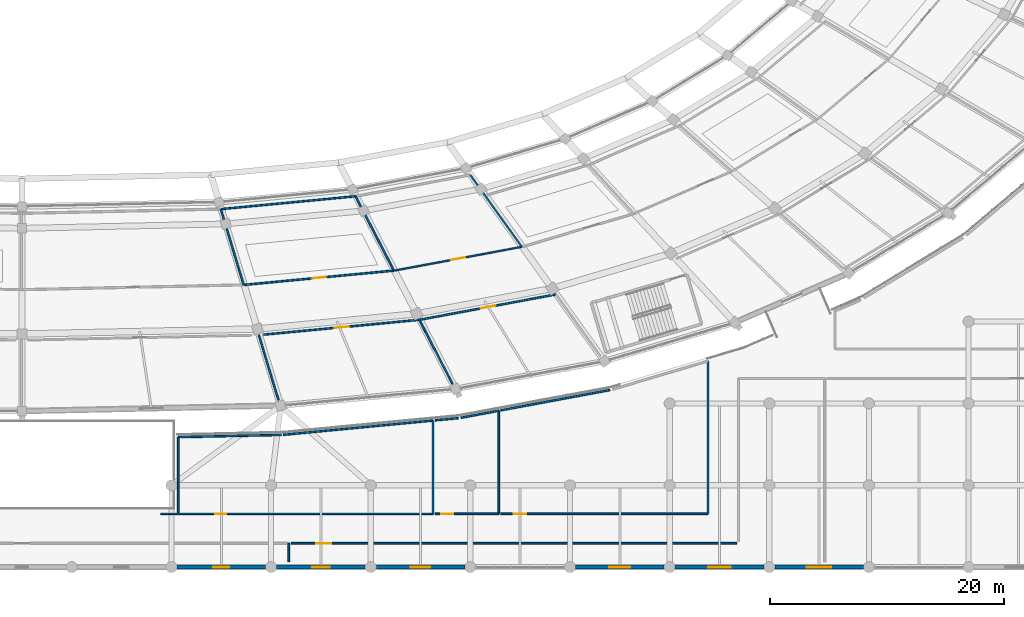
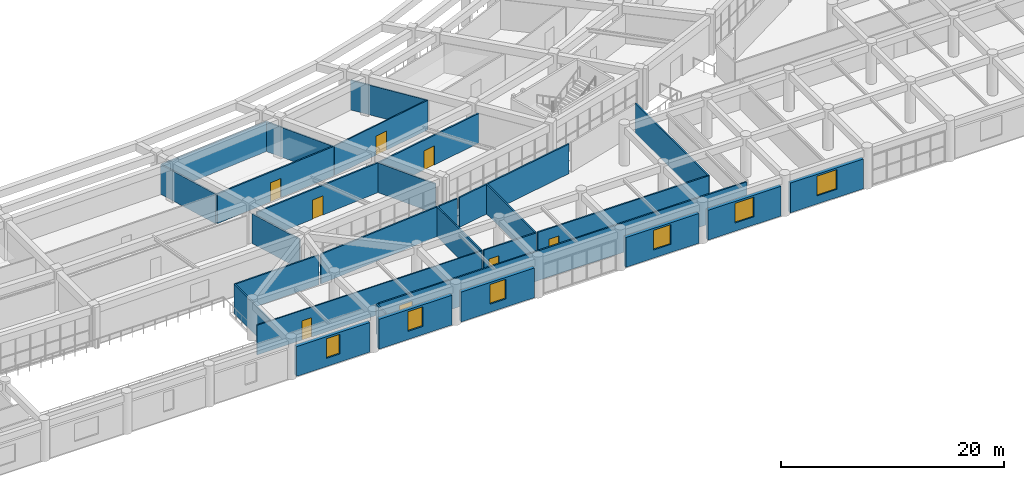
# One storey, part 100 of 145: 30 walls, 8 doors, 6 windows, 14 openings.
"""IFC4 building model written with IfcOpenShell, lengths in metres."""

import ifcopenshell
import ifcopenshell.guid

model = None  # the IFC model being written
_history = None  # IfcOwnerHistory: only IFC2X3 demands one
_inside = {}  # id of a spatial element -> (the spatial element, [elements in it])
_under = {}  # id of a project, library or spatial element -> (it, [spatial elements below it])
_declared = {}  # id of a project -> (the project, [libraries it declares])
_typed = {}  # id of a type object -> (the type object, [elements of that type])
_made_of = {}  # id of a material, layer set ... -> (it, [elements and type objects made of it])


def new_model(schema):
    """Start an empty IFC model of exactly this schema.

    Asked for "IFC4X3", IfcOpenShell would pick the latest addendum, in which some entities
    have other attributes; the version numbers below select the first issue.
    IFC2X3 requires an IfcOwnerHistory on every rooted entity: one is made here for all.
    """
    global model, _history
    if schema == "IFC4X3":
        model = ifcopenshell.file(schema_version=(4, 3, 0, 0))
    else:
        model = ifcopenshell.file(schema=schema)
    _inside.clear()
    _under.clear()
    _declared.clear()
    _typed.clear()
    _made_of.clear()
    _history = None
    if model.schema == "IFC2X3":
        org = make("IfcOrganization", Name="unknown")
        user = make(
            "IfcPersonAndOrganization",
            ThePerson=make("IfcPerson", FamilyName="unknown"),
            TheOrganization=org,
        )
        app = make(
            "IfcApplication",
            ApplicationDeveloper=org,
            Version="unknown",
            ApplicationFullName="unknown",
            ApplicationIdentifier="unknown",
        )
        _history = make(
            "IfcOwnerHistory",
            OwningUser=user,
            OwningApplication=app,
            ChangeAction="ADDED",
            CreationDate=0,
        )
    return model


def make(cls, **values):
    """One entity of the class cls with the attributes given. An attribute that is None is left unset."""
    return model.create_entity(
        cls, **{name: value for name, value in values.items() if value is not None}
    )


def rooted(cls, **values):
    """An entity with a GlobalId (a new one), such as an element, a storey or a relation."""
    return make(cls, GlobalId=ifcopenshell.guid.new(), OwnerHistory=_history, **values)


def si_unit(unit_type, name, prefix=None):
    """IfcSIUnit, for example si_unit("LENGTHUNIT", "METRE", prefix="MILLI")."""
    return make("IfcSIUnit", UnitType=unit_type, Prefix=prefix, Name=name)


def assignment(units):
    """IfcUnitAssignment: the units of a project."""
    return None if units is None else make("IfcUnitAssignment", Units=units)


def point(xyz):
    """IfcCartesianPoint."""
    return None if xyz is None else make("IfcCartesianPoint", Coordinates=xyz)


def direction(xyz):
    """IfcDirection."""
    return None if xyz is None else make("IfcDirection", DirectionRatios=xyz)


def frame(location, z_axis=None, x_axis=None):
    """IfcAxis2Placement3D, a coordinate frame: its origin and axes. An axis left out is left unset."""
    return make(
        "IfcAxis2Placement3D",
        Location=point(location),
        Axis=direction(z_axis),
        RefDirection=direction(x_axis),
    )


def frame_2d(location, x_axis=None):
    """IfcAxis2Placement2D, a coordinate frame in the plane: its origin and x axis."""
    return make(
        "IfcAxis2Placement2D", Location=point(location), RefDirection=direction(x_axis)
    )


def origin():
    """The frame at (0, 0, 0) with its axes left unset."""
    return frame((0.0, 0.0, 0.0))


def place(relative_to, where):
    """IfcLocalPlacement: puts the frame where relative to a parent placement (None: the world)."""
    return make(
        "IfcLocalPlacement", PlacementRelTo=relative_to, RelativePlacement=where
    )


def context(
    kind, dimensions, precision=None, world=None, true_north=None, identifier=None
):
    """IfcGeometricRepresentationContext, for example the 3D "Model" context."""
    return make(
        "IfcGeometricRepresentationContext",
        ContextIdentifier=identifier,
        ContextType=kind,
        CoordinateSpaceDimension=dimensions,
        Precision=precision,
        WorldCoordinateSystem=world,
        TrueNorth=true_north,
    )


def subcontext(parent, identifier, kind, view, scale=None):
    """IfcGeometricRepresentationSubContext, for example "Body" below "Model"."""
    return make(
        "IfcGeometricRepresentationSubContext",
        ContextIdentifier=identifier,
        ContextType=kind,
        ParentContext=parent,
        TargetScale=scale,
        TargetView=view,
    )


def project(units=None, contexts=None):
    """IfcProject with its units and contexts."""
    return rooted(
        "IfcProject",
        Name="project",
        RepresentationContexts=contexts,
        UnitsInContext=assignment(units),
    )


def spatial(cls, under=None, at=None, **own):
    """A site, building, storey or space (cls), placed at a placement, below another one or the project."""
    s = rooted(cls, ObjectPlacement=at, **own)
    if under is not None:
        _under.setdefault(under.id(), (under, []))[1].append(s)
    return s


def profile(cls, at=None, kind="AREA", **sizes):
    """A parametric profile (cls). Its sizes go by their IFC names, for example OverallWidth=200.0."""
    return make(cls, ProfileType=kind, Position=at, **sizes)


def rectangle(**sizes):
    """IfcRectangleProfileDef."""
    return profile("IfcRectangleProfileDef", **sizes)


def extrude(swept, where, along, depth):
    """IfcExtrudedAreaSolid: the profile swept, set in the frame where, extruded along a direction by depth."""
    return make(
        "IfcExtrudedAreaSolid",
        SweptArea=swept,
        Position=where,
        ExtrudedDirection=direction(along),
        Depth=depth,
    )


def shape(context_of_items, identifier, shape_type, items):
    """IfcShapeRepresentation: the items that make up one representation, for example the "Body"."""
    return make(
        "IfcShapeRepresentation",
        ContextOfItems=context_of_items,
        RepresentationIdentifier=identifier,
        RepresentationType=shape_type,
        Items=items,
    )


def material(Name=None, Category=None):
    """IfcMaterial."""
    return make("IfcMaterial", Name=Name, Category=Category)


def layer(
    of_material, thickness, ventilated=None, Name=None, Category=None, Priority=None
):
    """IfcMaterialLayer: one layer of a wall or slab, of a material (None: an air gap)."""
    return make(
        "IfcMaterialLayer",
        Material=of_material,
        LayerThickness=thickness,
        IsVentilated=ventilated,
        Name=Name,
        Category=Category,
        Priority=Priority,
    )


def layer_set(layers, Name=None):
    """IfcMaterialLayerSet."""
    return make("IfcMaterialLayerSet", MaterialLayers=layers, LayerSetName=Name)


def made_of(thing, what):
    """Note that an element or type object is made of a material, layer set ...; save() writes the relation."""
    if what is not None:
        _made_of.setdefault(what.id(), (what, []))[1].append(thing)
    return thing


def type_object(cls, material=None, **own):
    """A type object (cls), such as IfcWallType, which elements share."""
    return made_of(rooted(cls, **own), material)


def element(
    cls,
    number,
    at=None,
    inside=None,
    cuts=None,
    type_object=None,
    material=None,
    context=None,
    identifier="Body",
    shape_type=None,
    held_by="IfcProductDefinitionShape",
    body=None,
    shapes=None,
    **own,
):
    """One element of the class cls, such as IfcWall. Its Tag is "e" and its number.

    at: its placement. inside: the storey or other place that contains it. cuts: it is an
    opening in that element (IfcRelVoidsElement). A single representation is given by context,
    identifier, shape_type and body (its items); several are given by shapes. held_by: the class
    of the entity that holds the representations. save() writes the other relations.
    """
    e = rooted(cls, Tag="e%d" % number, ObjectPlacement=at, **own)
    if body is not None:
        shapes = [shape(context, identifier, shape_type, body)]
    if shapes is not None:
        e.Representation = make(held_by, Representations=shapes)
    if inside is not None:
        _inside.setdefault(inside.id(), (inside, []))[1].append(e)
    if cuts is not None:
        rooted(
            "IfcRelVoidsElement", RelatingBuildingElement=cuts, RelatedOpeningElement=e
        )
    if type_object is not None:
        _typed.setdefault(type_object.id(), (type_object, []))[1].append(e)
    return made_of(e, material)


def fill(opening, filler):
    """IfcRelFillsElement: the door or window that sits in an opening."""
    return rooted(
        "IfcRelFillsElement",
        RelatingOpeningElement=opening,
        RelatedBuildingElement=filler,
    )


def aggregate(whole, parts):
    """IfcRelAggregates: a whole, such as a stair, and the parts it consists of."""
    return rooted("IfcRelAggregates", RelatingObject=whole, RelatedObjects=parts)


def save(model, path):
    """Write the relations noted so far, then the file.

    IfcRelAggregates (storeys below a building ...), IfcRelContainedInSpatialStructure (elements
    in a storey), IfcRelDefinesByType, IfcRelAssociatesMaterial and IfcRelDeclares: one each for
    every whole, place, type object, material and project.
    """
    for whole, parts in _under.values():
        aggregate(whole, parts)
    for where, things in _inside.values():
        rooted(
            "IfcRelContainedInSpatialStructure",
            RelatedElements=things,
            RelatingStructure=where,
        )
    for kind, things in _typed.values():
        rooted("IfcRelDefinesByType", RelatedObjects=things, RelatingType=kind)
    for what, things in _made_of.values():
        rooted("IfcRelAssociatesMaterial", RelatedObjects=things, RelatingMaterial=what)
    for by, libraries in _declared.values():
        rooted("IfcRelDeclares", RelatingContext=by, RelatedDefinitions=libraries)
    model.write(path)


model = new_model("IFC4")

# Units and contexts
model_context = context("Model", 3, precision=1e-05, world=origin(), true_north=direction((0.0, 1.0)))
body_context = subcontext(model_context, "Body", "Model", "MODEL_VIEW")
ifc_project = project(units=[si_unit("LENGTHUNIT", "METRE"), si_unit("AREAUNIT", "SQUARE_METRE"), si_unit("VOLUMEUNIT", "CUBIC_METRE"), si_unit("PLANEANGLEUNIT", "RADIAN"), si_unit("MASSUNIT", "GRAM", prefix="KILO")], contexts=[model_context])

# Site, building, storey
site_placement = place(None, origin())
site = spatial("IfcSite", under=ifc_project, at=site_placement, CompositionType="ELEMENT")
building_placement = place(site_placement, origin())
building = spatial("IfcBuilding", under=site, at=building_placement, Name="Mphavela Belvedere Stadium", CompositionType="ELEMENT")
storey_placement = place(building_placement, frame((0.0, 0.0, 10.199951171875)))
storey = spatial("IfcBuildingStorey", under=building, at=storey_placement, Name="L02", CompositionType="ELEMENT", Elevation=10.199951171875)

# Wall, opening, window
ifc_material_1 = material(Name="Honed ashlar limestone masonry", Category="masonry")
ifc_layer_1 = layer(ifc_material_1, 0.35009765625)
ifc_layer_set_1 = layer_set([ifc_layer_1], Name="Honed ashlar limestone masonry")
wall_type_1 = type_object("IfcWallType", Name="WAL-EXT-ASHLAR-350", PredefinedType="STANDARD", material=ifc_layer_set_1)
wall_1_placement = place(storey_placement, frame((135.822998046875, 0.0, 0.0), z_axis=(0.0, 0.0, 1.0), x_axis=(-1.0, 0.0, 0.0)))
wall_1 = element("IfcWall", 1, at=wall_1_placement, inside=storey, type_object=wall_type_1, Name="South Axial Triumphal Peristyle Portico outer facade bay L02-16", PredefinedType="STANDARD", context=body_context, shape_type="SweptSolid", body=[
    extrude(rectangle(XDim=7.572021484375, YDim=0.35009765625, at=frame_2d((3.7861328125, 0.0))), origin(), (0.0, 0.0, 1.0), 3.260009765625),
])
opening_1_placement = place(wall_1_placement, frame((3.095947265625, 0.0, 0.89990234375)))
opening_1 = element("IfcOpeningElement", 2, at=opening_1_placement, cuts=wall_1, Name="Opening W-080", PredefinedType="OPENING", context=body_context, shape_type="SweptSolid", body=[
    extrude(rectangle(XDim=1.3798828125, YDim=2.14990234375, at=frame_2d((0.68994140625, 1.074951171875))), frame((0.0, 0.18505859375, 0.0), z_axis=(0.0, -1.0, 0.0), x_axis=(1.0, 0.0, 0.0)), (0.0, 0.0, 1.0), 0.3701171875),
])
ifc_material_2 = material(Name="Bronze-anodised thermally broken aluminium window", Category="aluminium")
window_type_1 = type_object("IfcWindowType", Name="WIN-EXT-36", PartitioningType="SINGLE_PANEL", PredefinedType="WINDOW", material=ifc_material_2)
window_1_placement = place(opening_1_placement, origin())
window_1 = element("IfcWindow", 3, at=window_1_placement, inside=storey, type_object=window_type_1, Name="South Axial Triumphal Peristyle Portico classical window W-080", OverallHeight=2.14990234375, OverallWidth=1.3798828125, PartitioningType="SINGLE_PANEL", PredefinedType="WINDOW", context=body_context, shape_type="SweptSolid", body=[
    extrude(rectangle(XDim=1.3798828125, YDim=2.14990234375, at=frame_2d((0.68994140625, 1.074951171875))), frame((0.0, 0.030029296875, 0.0), z_axis=(0.0, -1.0, 0.0), x_axis=(1.0, 0.0, 0.0)), (0.0, 0.0, 1.0), 0.06005859375),
])
fill(opening_1, window_1)

wall_2_placement = place(storey_placement, frame((144.342041015625, 0.0, 0.0), z_axis=(0.0, 0.0, 1.0), x_axis=(-1.0, 0.0, 0.0)))
wall_2 = element("IfcWall", 4, at=wall_2_placement, inside=storey, type_object=wall_type_1, Name="South Axial Triumphal Peristyle Portico outer facade bay L02-17", PredefinedType="STANDARD", context=body_context, shape_type="SweptSolid", body=[
    extrude(rectangle(XDim=7.572998046875, YDim=0.35009765625, at=frame_2d((3.78662109375, 0.0))), origin(), (0.0, 0.0, 1.0), 3.260009765625),
])
opening_2_placement = place(wall_2_placement, frame((3.026611328125, 0.0, 0.89990234375)))
opening_2 = element("IfcOpeningElement", 5, at=opening_2_placement, cuts=wall_2, Name="Opening W-081", PredefinedType="OPENING", context=body_context, shape_type="SweptSolid", body=[
    extrude(rectangle(XDim=1.52001953125, YDim=2.14990234375, at=frame_2d((0.760009765625, 1.074951171875))), frame((0.0, 0.18505859375, 0.0), z_axis=(0.0, -1.0, 0.0), x_axis=(1.0, 0.0, 0.0)), (0.0, 0.0, 1.0), 0.3701171875),
])
ifc_material_3 = material(Name="Bronze-anodised thermally broken aluminium window", Category="aluminium")
window_type_2 = type_object("IfcWindowType", Name="WIN-EXT-37", PartitioningType="SINGLE_PANEL", PredefinedType="WINDOW", material=ifc_material_3)
window_2_placement = place(opening_2_placement, origin())
window_2 = element("IfcWindow", 6, at=window_2_placement, inside=storey, type_object=window_type_2, Name="South Axial Triumphal Peristyle Portico classical window W-081", OverallHeight=2.14990234375, OverallWidth=1.52001953125, PartitioningType="SINGLE_PANEL", PredefinedType="WINDOW", context=body_context, shape_type="SweptSolid", body=[
    extrude(rectangle(XDim=1.52001953125, YDim=2.14990234375, at=frame_2d((0.760009765625, 1.074951171875))), frame((0.0, 0.030029296875, 0.0), z_axis=(0.0, -1.0, 0.0), x_axis=(1.0, 0.0, 0.0)), (0.0, 0.0, 1.0), 0.06005859375),
])
fill(opening_2, window_2)

wall_3_placement = place(storey_placement, frame((152.860107421875, 0.0, 0.0), z_axis=(0.0, 0.0, 1.0), x_axis=(-1.0, 0.0, 0.0)))
wall_3 = element("IfcWall", 7, at=wall_3_placement, inside=storey, type_object=wall_type_1, Name="South Axial Triumphal Peristyle Portico outer facade bay L02-18", PredefinedType="STANDARD", context=body_context, shape_type="SweptSolid", body=[
    extrude(rectangle(XDim=7.572021484375, YDim=0.35009765625, at=frame_2d((3.7861328125, 0.0))), origin(), (0.0, 0.0, 1.0), 3.260009765625),
])
opening_3_placement = place(wall_3_placement, frame((2.9560546875, 0.0, 0.89990234375)))
opening_3 = element("IfcOpeningElement", 8, at=opening_3_placement, cuts=wall_3, Name="Opening W-082", PredefinedType="OPENING", context=body_context, shape_type="SweptSolid", body=[
    extrude(rectangle(XDim=1.659912109375, YDim=2.14990234375, at=frame_2d((0.830078125, 1.074951171875))), frame((0.0, 0.18505859375, 0.0), z_axis=(0.0, -1.0, 0.0), x_axis=(1.0, 0.0, 0.0)), (0.0, 0.0, 1.0), 0.3701171875),
])
ifc_material_4 = material(Name="Bronze-anodised thermally broken aluminium window", Category="aluminium")
window_type_3 = type_object("IfcWindowType", Name="WIN-EXT-38", PartitioningType="SINGLE_PANEL", PredefinedType="WINDOW", material=ifc_material_4)
window_3_placement = place(opening_3_placement, origin())
window_3 = element("IfcWindow", 9, at=window_3_placement, inside=storey, type_object=window_type_3, Name="South Axial Triumphal Peristyle Portico classical window W-082", OverallHeight=2.14990234375, OverallWidth=1.659912109375, PartitioningType="SINGLE_PANEL", PredefinedType="WINDOW", context=body_context, shape_type="SweptSolid", body=[
    extrude(rectangle(XDim=1.659912109375, YDim=2.14990234375, at=frame_2d((0.830078125, 1.074951171875))), frame((0.0, 0.030029296875, 0.0), z_axis=(0.0, -1.0, 0.0), x_axis=(1.0, 0.0, 0.0)), (0.0, 0.0, 1.0), 0.06005859375),
])
fill(opening_3, window_3)

wall_4_placement = place(storey_placement, frame((169.89697265625, 0.0, 0.0), z_axis=(0.0, 0.0, 1.0), x_axis=(-1.0, 0.0, 0.0)))
wall_4 = element("IfcWall", 10, at=wall_4_placement, inside=storey, type_object=wall_type_1, Name="South Axial Triumphal Peristyle Portico outer facade bay L02-20", PredefinedType="STANDARD", context=body_context, shape_type="SweptSolid", body=[
    extrude(rectangle(XDim=7.572021484375, YDim=0.35009765625, at=frame_2d((3.7861328125, 0.0))), origin(), (0.0, 0.0, 1.0), 3.260009765625),
])
opening_4_placement = place(wall_4_placement, frame((2.885986328125, 0.0, 0.89990234375)))
opening_4 = element("IfcOpeningElement", 11, at=opening_4_placement, cuts=wall_4, Name="Opening W-083", PredefinedType="OPENING", context=body_context, shape_type="SweptSolid", body=[
    extrude(rectangle(XDim=1.800048828125, YDim=2.14990234375, at=frame_2d((0.89990234375, 1.074951171875))), frame((0.0, 0.18505859375, 0.0), z_axis=(0.0, -1.0, 0.0), x_axis=(1.0, 0.0, 0.0)), (0.0, 0.0, 1.0), 0.3701171875),
])
ifc_material_5 = material(Name="Bronze-anodised thermally broken aluminium window", Category="aluminium")
window_type_4 = type_object("IfcWindowType", Name="WIN-EXT-39", PartitioningType="SINGLE_PANEL", PredefinedType="WINDOW", material=ifc_material_5)
window_4_placement = place(opening_4_placement, origin())
window_4 = element("IfcWindow", 12, at=window_4_placement, inside=storey, type_object=window_type_4, Name="South Axial Triumphal Peristyle Portico classical window W-083", OverallHeight=2.14990234375, OverallWidth=1.800048828125, PartitioningType="SINGLE_PANEL", PredefinedType="WINDOW", context=body_context, shape_type="SweptSolid", body=[
    extrude(rectangle(XDim=1.800048828125, YDim=2.14990234375, at=frame_2d((0.89990234375, 1.074951171875))), frame((0.0, 0.030029296875, 0.0), z_axis=(0.0, -1.0, 0.0), x_axis=(1.0, 0.0, 0.0)), (0.0, 0.0, 1.0), 0.06005859375),
])
fill(opening_4, window_4)

wall_5_placement = place(storey_placement, frame((178.416015625, 0.0, 0.0), z_axis=(0.0, 0.0, 1.0), x_axis=(-1.0, 0.0, 0.0)))
wall_5 = element("IfcWall", 13, at=wall_5_placement, inside=storey, type_object=wall_type_1, Name="South Axial Triumphal Peristyle Portico outer facade bay L02-21", PredefinedType="STANDARD", context=body_context, shape_type="SweptSolid", body=[
    extrude(rectangle(XDim=7.572998046875, YDim=0.35009765625, at=frame_2d((3.78662109375, 0.0))), origin(), (0.0, 0.0, 1.0), 3.260009765625),
])
opening_5_placement = place(wall_5_placement, frame((2.81640625, 0.0, 0.89990234375)))
opening_5 = element("IfcOpeningElement", 14, at=opening_5_placement, cuts=wall_5, Name="Opening W-084", PredefinedType="OPENING", context=body_context, shape_type="SweptSolid", body=[
    extrude(rectangle(XDim=1.93994140625, YDim=2.14990234375, at=frame_2d((0.969970703125, 1.074951171875))), frame((0.0, 0.18505859375, 0.0), z_axis=(0.0, -1.0, 0.0), x_axis=(1.0, 0.0, 0.0)), (0.0, 0.0, 1.0), 0.3701171875),
])
ifc_material_6 = material(Name="Bronze-anodised thermally broken aluminium window", Category="aluminium")
window_type_5 = type_object("IfcWindowType", Name="WIN-EXT-40", PartitioningType="SINGLE_PANEL", PredefinedType="WINDOW", material=ifc_material_6)
window_5_placement = place(opening_5_placement, origin())
window_5 = element("IfcWindow", 15, at=window_5_placement, inside=storey, type_object=window_type_5, Name="South Axial Triumphal Peristyle Portico classical window W-084", OverallHeight=2.14990234375, OverallWidth=1.93994140625, PartitioningType="SINGLE_PANEL", PredefinedType="WINDOW", context=body_context, shape_type="SweptSolid", body=[
    extrude(rectangle(XDim=1.93994140625, YDim=2.14990234375, at=frame_2d((0.969970703125, 1.074951171875))), frame((0.0, 0.030029296875, 0.0), z_axis=(0.0, -1.0, 0.0), x_axis=(1.0, 0.0, 0.0)), (0.0, 0.0, 1.0), 0.06005859375),
])
fill(opening_5, window_5)

wall_6_placement = place(storey_placement, frame((186.93408203125, 0.0, 0.0), z_axis=(0.0, 0.0, 1.0), x_axis=(-1.0, 0.0, 0.0)))
wall_6 = element("IfcWall", 16, at=wall_6_placement, inside=storey, type_object=wall_type_1, Name="South Axial Triumphal Peristyle Portico outer facade bay L02-22", PredefinedType="STANDARD", context=body_context, shape_type="SweptSolid", body=[
    extrude(rectangle(XDim=7.572021484375, YDim=0.35009765625, at=frame_2d((3.7861328125, 0.0))), origin(), (0.0, 0.0, 1.0), 3.260009765625),
])
opening_6_placement = place(wall_6_placement, frame((2.74609375, 0.0, 0.89990234375)))
opening_6 = element("IfcOpeningElement", 17, at=opening_6_placement, cuts=wall_6, Name="Opening W-085", PredefinedType="OPENING", context=body_context, shape_type="SweptSolid", body=[
    extrude(rectangle(XDim=2.080078125, YDim=2.14990234375, at=frame_2d((1.0400390625, 1.074951171875))), frame((0.0, 0.18505859375, 0.0), z_axis=(0.0, -1.0, 0.0), x_axis=(1.0, 0.0, 0.0)), (0.0, 0.0, 1.0), 0.3701171875),
])
ifc_material_7 = material(Name="Bronze-anodised thermally broken aluminium window", Category="aluminium")
window_type_6 = type_object("IfcWindowType", Name="WIN-EXT-41", PartitioningType="SINGLE_PANEL", PredefinedType="WINDOW", material=ifc_material_7)
window_6_placement = place(opening_6_placement, origin())
window_6 = element("IfcWindow", 18, at=window_6_placement, inside=storey, type_object=window_type_6, Name="South Axial Triumphal Peristyle Portico classical window W-085", OverallHeight=2.14990234375, OverallWidth=2.080078125, PartitioningType="SINGLE_PANEL", PredefinedType="WINDOW", context=body_context, shape_type="SweptSolid", body=[
    extrude(rectangle(XDim=2.080078125, YDim=2.14990234375, at=frame_2d((1.0400390625, 1.074951171875))), frame((0.0, 0.030029296875, 0.0), z_axis=(0.0, -1.0, 0.0), x_axis=(1.0, 0.0, 0.0)), (0.0, 0.0, 1.0), 0.06005859375),
])
fill(opening_6, window_6)

# Wall, opening, door
ifc_material_8 = material(Name="Moisture-resistant sanitary partition assembly")
ifc_layer_2 = layer(ifc_material_8, 0.125)
ifc_layer_set_2 = layer_set([ifc_layer_2], Name="Moisture-resistant sanitary partition assembly")
wall_type_2 = type_object("IfcWallType", Name="WAL-PART-125", PredefinedType="PARTITIONING", material=ifc_layer_set_2)
wall_7_placement = place(storey_placement, frame((157.731689453125, 27.3857421875, 0.0), z_axis=(0.0, 0.0, 1.0), x_axis=(-0.983097372707, -0.183083466695, 0.0)))
wall_7 = element("IfcWall", 19, at=wall_7_placement, inside=storey, type_object=wall_type_2, Name="Room L02-134 corridor partition", PredefinedType="PARTITIONING", context=body_context, shape_type="SweptSolid", body=[
    extrude(rectangle(XDim=11.03466796875, YDim=0.125, at=frame_2d((5.517333984375, 0.0))), origin(), (0.0, 0.0, 1.0), 3.25),
])
opening_7_placement = place(wall_7_placement, frame((4.9072265625, 0.0, 0.0)))
opening_7 = element("IfcOpeningElement", 20, at=opening_7_placement, cuts=wall_7, Name="Opening ID-225", PredefinedType="OPENING", context=body_context, shape_type="SweptSolid", body=[
    extrude(rectangle(XDim=1.219970703125, YDim=2.10009765625, at=frame_2d((0.60986328125, 1.050048828125))), frame((0.0, 0.072509765625, 0.0), z_axis=(0.0, -1.0, 0.0), x_axis=(1.0, 0.0, 0.0)), (0.0, 0.0, 1.0), 0.14501953125),
])
ifc_material_9 = material(Name="Hardwood acoustic timber doorset", Category="wood")
door_type_1 = type_object("IfcDoorType", Name="DR-INT-09", OperationType="NOTDEFINED", PredefinedType="DOOR", material=ifc_material_9)
door_1_placement = place(opening_7_placement, origin())
door_1 = element("IfcDoor", 21, at=door_1_placement, inside=storey, type_object=door_type_1, Name="Room L02-134 entrance door ID-225", OperationType="SINGLE_SWING_LEFT", OverallHeight=2.10009765625, OverallWidth=1.219970703125, PredefinedType="DOOR", context=body_context, shape_type="SweptSolid", body=[
    extrude(rectangle(XDim=1.219970703125, YDim=2.10009765625, at=frame_2d((0.60986328125, 1.050048828125))), frame((0.0, 0.02490234375, 0.0), z_axis=(0.0, -1.0, 0.0), x_axis=(1.0, 0.0, 0.0)), (0.0, 0.0, 1.0), 0.050048828125),
])
fill(opening_7, door_1)

wall_8_placement = place(storey_placement, frame((150.14404296875, 4.56005859375, 0.0), z_axis=(0.0, 0.0, 1.0), x_axis=(-1.0, 0.0, 0.0)))
wall_8 = element("IfcWall", 22, at=wall_8_placement, inside=storey, type_object=wall_type_2, Name="Room L02-169 corridor partition", PredefinedType="PARTITIONING", context=body_context, shape_type="SweptSolid", body=[
    extrude(rectangle(XDim=23.296142578125, YDim=0.125, at=frame_2d((11.64794921875, 0.0))), origin(), (0.0, 0.0, 1.0), 3.25),
])
opening_8_placement = place(wall_8_placement, frame((17.660888671875, 0.0, 0.0)))
opening_8 = element("IfcOpeningElement", 23, at=opening_8_placement, cuts=wall_8, Name="Opening ID-399", PredefinedType="OPENING", context=body_context, shape_type="SweptSolid", body=[
    extrude(rectangle(XDim=0.97998046875, YDim=2.10009765625, at=frame_2d((0.489990234375, 1.050048828125))), frame((0.0, 0.072509765625, 0.0), z_axis=(0.0, -1.0, 0.0), x_axis=(1.0, 0.0, 0.0)), (0.0, 0.0, 1.0), 0.14501953125),
])
ifc_material_10 = material(Name="Hardwood acoustic timber doorset", Category="wood")
door_type_2 = type_object("IfcDoorType", Name="DR-INT-03", OperationType="NOTDEFINED", PredefinedType="DOOR", material=ifc_material_10)
door_2_placement = place(opening_8_placement, origin())
door_2 = element("IfcDoor", 24, at=door_2_placement, inside=storey, type_object=door_type_2, Name="Room L02-169 entrance door ID-399", OperationType="SINGLE_SWING_LEFT", OverallHeight=2.10009765625, OverallWidth=0.97998046875, PredefinedType="DOOR", context=body_context, shape_type="SweptSolid", body=[
    extrude(rectangle(XDim=0.97998046875, YDim=2.10009765625, at=frame_2d((0.489990234375, 1.050048828125))), frame((0.0, 0.02490234375, 0.0), z_axis=(0.0, -1.0, 0.0), x_axis=(1.0, 0.0, 0.0)), (0.0, 0.0, 1.0), 0.050048828125),
])
fill(opening_8, door_2)

ifc_material_11 = material(Name="Acoustic gypsum stud partition assembly")
ifc_layer_3 = layer(ifc_material_11, 0.14990234375)
ifc_layer_set_3 = layer_set([ifc_layer_3], Name="Acoustic gypsum stud partition assembly")
wall_type_3 = type_object("IfcWallType", Name="WAL-PART-150", PredefinedType="PARTITIONING", material=ifc_layer_set_3)
wall_9_placement = place(storey_placement, frame((146.799072265625, 25.354736328125, 0.0), z_axis=(0.0, 0.0, 1.0), x_axis=(-0.995485111947, -0.094917816515, 0.0)))
wall_9 = element("IfcWall", 25, at=wall_9_placement, inside=storey, type_object=wall_type_3, Name="Room L02-131 corridor partition", PredefinedType="PARTITIONING", context=body_context, shape_type="SweptSolid", body=[
    extrude(rectangle(XDim=12.822021484375, YDim=0.14990234375, at=frame_2d((6.4111328125, 0.0))), origin(), (0.0, 0.0, 1.0), 3.25),
])
opening_9_placement = place(wall_9_placement, frame((5.841064453125, 0.0, 0.0)))
opening_9 = element("IfcOpeningElement", 26, at=opening_9_placement, cuts=wall_9, Name="Opening ID-223", PredefinedType="OPENING", context=body_context, shape_type="SweptSolid", body=[
    extrude(rectangle(XDim=1.139892578125, YDim=2.10009765625, at=frame_2d((0.56982421875, 1.050048828125))), frame((0.0, 0.0849609375, 0.0), z_axis=(0.0, -1.0, 0.0), x_axis=(1.0, 0.0, 0.0)), (0.0, 0.0, 1.0), 0.169921875),
])
ifc_material_12 = material(Name="Hardwood acoustic timber doorset", Category="wood")
door_type_3 = type_object("IfcDoorType", Name="DR-INT-07", OperationType="NOTDEFINED", PredefinedType="DOOR", material=ifc_material_12)
door_3_placement = place(opening_9_placement, origin())
door_3 = element("IfcDoor", 27, at=door_3_placement, inside=storey, type_object=door_type_3, Name="Room L02-131 entrance door ID-223", OperationType="SINGLE_SWING_LEFT", OverallHeight=2.10009765625, OverallWidth=1.139892578125, PredefinedType="DOOR", context=body_context, shape_type="SweptSolid", body=[
    extrude(rectangle(XDim=1.139892578125, YDim=2.10009765625, at=frame_2d((0.56982421875, 1.050048828125))), frame((0.0, 0.02490234375, 0.0), z_axis=(0.0, -1.0, 0.0), x_axis=(1.0, 0.0, 0.0)), (0.0, 0.0, 1.0), 0.050048828125),
])
fill(opening_9, door_3)

wall_10_placement = place(storey_placement, frame((135.68115234375, 19.880859375, 0.0), z_axis=(0.0, 0.0, 1.0), x_axis=(0.995484535327, 0.094923863827, 0.0)))
wall_10 = element("IfcWall", 28, at=wall_10_placement, inside=storey, type_object=wall_type_3, Name="Room L02-132 corridor partition", PredefinedType="PARTITIONING", context=body_context, shape_type="SweptSolid", body=[
    extrude(rectangle(XDim=13.35107421875, YDim=0.14990234375, at=frame_2d((6.675537109375, 0.0))), origin(), (0.0, 0.0, 1.0), 3.25),
])
opening_10_placement = place(wall_10_placement, frame((6.08544921875, 0.0, 0.0)))
opening_10 = element("IfcOpeningElement", 29, at=opening_10_placement, cuts=wall_10, Name="Opening ID-224", PredefinedType="OPENING", context=body_context, shape_type="SweptSolid", body=[
    extrude(rectangle(XDim=1.179931640625, YDim=2.10009765625, at=frame_2d((0.58984375, 1.050048828125))), frame((0.0, 0.0849609375, 0.0), z_axis=(0.0, -1.0, 0.0), x_axis=(1.0, 0.0, 0.0)), (0.0, 0.0, 1.0), 0.169921875),
])
ifc_material_13 = material(Name="Hardwood acoustic timber doorset", Category="wood")
door_type_4 = type_object("IfcDoorType", Name="DR-INT-08", OperationType="NOTDEFINED", PredefinedType="DOOR", material=ifc_material_13)
door_4_placement = place(opening_10_placement, origin())
door_4 = element("IfcDoor", 30, at=door_4_placement, inside=storey, type_object=door_type_4, Name="Room L02-132 entrance door ID-224", OperationType="SINGLE_SWING_RIGHT", OverallHeight=2.10009765625, OverallWidth=1.179931640625, PredefinedType="DOOR", context=body_context, shape_type="SweptSolid", body=[
    extrude(rectangle(XDim=1.179931640625, YDim=2.10009765625, at=frame_2d((0.58984375, 1.050048828125))), frame((0.0, 0.02490234375, 0.0), z_axis=(0.0, -1.0, 0.0), x_axis=(1.0, 0.0, 0.0)), (0.0, 0.0, 1.0), 0.050048828125),
])
fill(opening_10, door_4)

wall_11_placement = place(storey_placement, frame((149.055419921875, 21.1611328125, 0.0), z_axis=(0.0, 0.0, 1.0), x_axis=(0.983095748229, 0.183092189385, 0.0)))
wall_11 = element("IfcWall", 31, at=wall_11_placement, inside=storey, type_object=wall_type_3, Name="Room L02-135 corridor partition", PredefinedType="PARTITIONING", context=body_context, shape_type="SweptSolid", body=[
    extrude(rectangle(XDim=11.79296875, YDim=0.14990234375, at=frame_2d((5.896484375, 0.0))), origin(), (0.0, 0.0, 1.0), 3.25),
])
opening_11_placement = place(wall_11_placement, frame((5.2666015625, 0.0, 0.0)))
opening_11 = element("IfcOpeningElement", 32, at=opening_11_placement, cuts=wall_11, Name="Opening ID-226", PredefinedType="OPENING", context=body_context, shape_type="SweptSolid", body=[
    extrude(rectangle(XDim=1.260009765625, YDim=2.10009765625, at=frame_2d((0.6298828125, 1.050048828125))), frame((0.0, 0.0849609375, 0.0), z_axis=(0.0, -1.0, 0.0), x_axis=(1.0, 0.0, 0.0)), (0.0, 0.0, 1.0), 0.169921875),
])
ifc_material_14 = material(Name="Hardwood acoustic timber doorset", Category="wood")
door_type_5 = type_object("IfcDoorType", Name="DR-INT-10", OperationType="NOTDEFINED", PredefinedType="DOOR", material=ifc_material_14)
door_5_placement = place(opening_11_placement, origin())
door_5 = element("IfcDoor", 33, at=door_5_placement, inside=storey, type_object=door_type_5, Name="Room L02-135 entrance door ID-226", OperationType="SINGLE_SWING_RIGHT", OverallHeight=2.10009765625, OverallWidth=1.260009765625, PredefinedType="DOOR", context=body_context, shape_type="SweptSolid", body=[
    extrude(rectangle(XDim=1.260009765625, YDim=2.10009765625, at=frame_2d((0.6298828125, 1.050048828125))), frame((0.0, 0.02490234375, 0.0), z_axis=(0.0, -1.0, 0.0), x_axis=(1.0, 0.0, 0.0)), (0.0, 0.0, 1.0), 0.050048828125),
])
fill(opening_11, door_5)

wall_12_placement = place(storey_placement, frame((138.010009765625, 2.0400390625, 0.0), z_axis=(0.0, 0.0, 1.0), x_axis=(1.0, 0.0, 0.0)))
wall_12 = element("IfcWall", 34, at=wall_12_placement, inside=storey, type_object=wall_type_3, Name="Room L02-165 corridor partition", PredefinedType="PARTITIONING", context=body_context, shape_type="SweptSolid", body=[
    extrude(rectangle(XDim=38.090087890625, YDim=0.14990234375, at=frame_2d((19.044921875, 0.0))), origin(), (0.0, 0.0, 1.0), 3.25),
])
opening_12_placement = place(wall_12_placement, frame((2.12646484375, 0.0, 0.0)))
opening_12 = element("IfcOpeningElement", 35, at=opening_12_placement, cuts=wall_12, Name="Opening ID-395", PredefinedType="OPENING", context=body_context, shape_type="SweptSolid", body=[
    extrude(rectangle(XDim=1.320068359375, YDim=2.300048828125, at=frame_2d((0.66015625, 1.14990234375))), frame((0.0, 0.0849609375, 0.0), z_axis=(0.0, -1.0, 0.0), x_axis=(1.0, 0.0, 0.0)), (0.0, 0.0, 1.0), 0.169921875),
])
ifc_material_15 = material(Name="Hardwood acoustic timber doorset", Category="wood")
door_type_6 = type_object("IfcDoorType", Name="DR-INT-35", OperationType="NOTDEFINED", PredefinedType="DOOR", material=ifc_material_15)
door_6_placement = place(opening_12_placement, origin())
door_6 = element("IfcDoor", 36, at=door_6_placement, inside=storey, type_object=door_type_6, Name="Room L02-165 entrance door ID-395", OperationType="SINGLE_SWING_LEFT", OverallHeight=2.300048828125, OverallWidth=1.320068359375, PredefinedType="DOOR", context=body_context, shape_type="SweptSolid", body=[
    extrude(rectangle(XDim=1.320068359375, YDim=2.300048828125, at=frame_2d((0.66015625, 1.14990234375))), frame((0.0, 0.02490234375, 0.0), z_axis=(0.0, -1.0, 0.0), x_axis=(1.0, 0.0, 0.0)), (0.0, 0.0, 1.0), 0.050048828125),
])
fill(opening_12, door_6)

wall_13_placement = place(storey_placement, frame((155.763916015625, 4.56005859375, 0.0), z_axis=(0.0, 0.0, 1.0), x_axis=(-1.0, 0.0, 0.0)))
wall_13 = element("IfcWall", 37, at=wall_13_placement, inside=storey, type_object=wall_type_3, Name="Room L02-170 corridor partition", PredefinedType="PARTITIONING", context=body_context, shape_type="SweptSolid", body=[
    extrude(rectangle(XDim=5.419921875, YDim=0.14990234375, at=frame_2d((2.7099609375, 0.0))), origin(), (0.0, 0.0, 1.0), 3.25),
])
opening_13_placement = place(wall_13_placement, frame((3.89208984375, 0.0, 0.0)))
opening_13 = element("IfcOpeningElement", 38, at=opening_13_placement, cuts=wall_13, Name="Opening ID-400", PredefinedType="OPENING", context=body_context, shape_type="SweptSolid", body=[
    extrude(rectangle(XDim=1.02001953125, YDim=2.10009765625, at=frame_2d((0.510009765625, 1.050048828125))), frame((0.0, 0.0849609375, 0.0), z_axis=(0.0, -1.0, 0.0), x_axis=(1.0, 0.0, 0.0)), (0.0, 0.0, 1.0), 0.169921875),
])
ifc_material_16 = material(Name="Hardwood acoustic timber doorset", Category="wood")
door_type_7 = type_object("IfcDoorType", Name="DR-INT-04", OperationType="NOTDEFINED", PredefinedType="DOOR", material=ifc_material_16)
door_7_placement = place(opening_13_placement, origin())
door_7 = element("IfcDoor", 39, at=door_7_placement, inside=storey, type_object=door_type_7, Name="Room L02-170 entrance door ID-400", OperationType="SINGLE_SWING_RIGHT", OverallHeight=2.10009765625, OverallWidth=1.02001953125, PredefinedType="DOOR", context=body_context, shape_type="SweptSolid", body=[
    extrude(rectangle(XDim=1.02001953125, YDim=2.10009765625, at=frame_2d((0.510009765625, 1.050048828125))), frame((0.0, 0.02490234375, 0.0), z_axis=(0.0, -1.0, 0.0), x_axis=(1.0, 0.0, 0.0)), (0.0, 0.0, 1.0), 0.050048828125),
])
fill(opening_13, door_7)

wall_14_placement = place(storey_placement, frame((173.639892578125, 4.56005859375, 0.0), z_axis=(0.0, 0.0, 1.0), x_axis=(-1.0, 0.0, 0.0)))
wall_14 = element("IfcWall", 40, at=wall_14_placement, inside=storey, type_object=wall_type_3, Name="Room L02-171 corridor partition", PredefinedType="PARTITIONING", context=body_context, shape_type="SweptSolid", body=[
    extrude(rectangle(XDim=17.7158203125, YDim=0.14990234375, at=frame_2d((8.85791015625, 0.0))), origin(), (0.0, 0.0, 1.0), 3.25),
])
opening_14_placement = place(wall_14_placement, frame((15.53515625, 0.0, 0.0)))
opening_14 = element("IfcOpeningElement", 41, at=opening_14_placement, cuts=wall_14, Name="Opening ID-401", PredefinedType="OPENING", context=body_context, shape_type="SweptSolid", body=[
    extrude(rectangle(XDim=1.06005859375, YDim=2.10009765625, at=frame_2d((0.530029296875, 1.050048828125))), frame((0.0, 0.0849609375, 0.0), z_axis=(0.0, -1.0, 0.0), x_axis=(1.0, 0.0, 0.0)), (0.0, 0.0, 1.0), 0.169921875),
])
ifc_material_17 = material(Name="Hardwood acoustic timber doorset", Category="wood")
door_type_8 = type_object("IfcDoorType", Name="DR-INT-05", OperationType="NOTDEFINED", PredefinedType="DOOR", material=ifc_material_17)
door_8_placement = place(opening_14_placement, origin())
door_8 = element("IfcDoor", 42, at=door_8_placement, inside=storey, type_object=door_type_8, Name="Room L02-171 entrance door ID-401", OperationType="SINGLE_SWING_LEFT", OverallHeight=2.10009765625, OverallWidth=1.06005859375, PredefinedType="DOOR", context=body_context, shape_type="SweptSolid", body=[
    extrude(rectangle(XDim=1.06005859375, YDim=2.10009765625, at=frame_2d((0.530029296875, 1.050048828125))), frame((0.0, 0.02490234375, 0.0), z_axis=(0.0, -1.0, 0.0), x_axis=(1.0, 0.0, 0.0)), (0.0, 0.0, 1.0), 0.050048828125),
])
fill(opening_14, door_8)

# Walls
wall_15_placement = place(storey_placement, frame((131.99462890625, 30.614013671875, 0.0), z_axis=(0.0, 0.0, 1.0), x_axis=(0.289226587364, -0.957260665212, 0.0)))
element("IfcWall", 43, at=wall_15_placement, inside=storey, type_object=wall_type_3, Name="Room divider partition L02-0398", PredefinedType="PARTITIONING", context=body_context, shape_type="SweptSolid", body=[
    extrude(rectangle(XDim=6.769775390625, YDim=0.14990234375, at=frame_2d((3.384765625, 0.0))), origin(), (0.0, 0.0, 1.0), 3.25),
])
wall_16_placement = place(storey_placement, frame((135.249267578125, 19.842041015625, 0.0), z_axis=(0.0, 0.0, 1.0), x_axis=(0.289195444178, -0.957270074256, 0.0)))
element("IfcWall", 44, at=wall_16_placement, inside=storey, type_object=wall_type_3, Name="Room divider partition L02-0399", PredefinedType="PARTITIONING", context=body_context, shape_type="SweptSolid", body=[
    extrude(rectangle(XDim=5.8173828125, YDim=0.14990234375, at=frame_2d((2.90869140625, 0.0))), origin(), (0.0, 0.0, 1.0), 3.25),
])
wall_17_placement = place(storey_placement, frame((132.076416015625, 30.619384765625, 0.0), z_axis=(0.0, 0.0, 1.0), x_axis=(0.995484580871, 0.094923386203, 0.0)))
element("IfcWall", 45, at=wall_17_placement, inside=storey, type_object=wall_type_3, Name="Room divider partition L02-0400", PredefinedType="PARTITIONING", context=body_context, shape_type="SweptSolid", body=[
    extrude(rectangle(XDim=11.49169921875, YDim=0.14990234375, at=frame_2d((5.745849609375, 0.0))), origin(), (0.0, 0.0, 1.0), 3.25),
])
wall_18_placement = place(storey_placement, frame((143.51611328125, 31.710205078125, 0.0), z_axis=(0.0, 0.0, 1.0), x_axis=(0.458942826051, -0.888465802615, 0.0)))
element("IfcWall", 46, at=wall_18_placement, inside=storey, type_object=wall_type_3, Name="Room divider partition L02-0401", PredefinedType="PARTITIONING", context=body_context, shape_type="SweptSolid", body=[
    extrude(rectangle(XDim=7.1533203125, YDim=0.14990234375, at=frame_2d((3.57666015625, 0.0))), origin(), (0.0, 0.0, 1.0), 3.25),
])
wall_19_placement = place(storey_placement, frame((148.971923828125, 21.148193359375, 0.0), z_axis=(0.0, 0.0, 1.0), x_axis=(0.45896480759, -0.888454447563, 0.0)))
element("IfcWall", 47, at=wall_19_placement, inside=storey, type_object=wall_type_3, Name="Room divider partition L02-0402", PredefinedType="PARTITIONING", context=body_context, shape_type="SweptSolid", body=[
    extrude(rectangle(XDim=6.16259765625, YDim=0.14990234375, at=frame_2d((3.081298828125, 0.0))), origin(), (0.0, 0.0, 1.0), 3.25),
])
wall_20_placement = place(storey_placement, frame((153.31982421875, 33.533447265625, 0.0), z_axis=(0.0, 0.0, 1.0), x_axis=(0.583043547447, -0.812440903562, 0.0)))
element("IfcWall", 48, at=wall_20_placement, inside=storey, type_object=wall_type_3, Name="Room divider partition L02-0404", PredefinedType="PARTITIONING", context=body_context, shape_type="SweptSolid", body=[
    extrude(rectangle(XDim=7.56689453125, YDim=0.14990234375, at=frame_2d((3.783447265625, 0.0))), origin(), (0.0, 0.0, 1.0), 3.25),
])
wall_21_placement = place(storey_placement, frame((137.81005859375, 2.0400390625, 0.0), z_axis=(0.0, 0.0, 1.0), x_axis=(0.0, -1.0, 0.0)))
element("IfcWall", 49, at=wall_21_placement, inside=storey, type_object=wall_type_3, Name="Room divider partition L02-0760", PredefinedType="PARTITIONING", context=body_context, shape_type="SweptSolid", body=[
    extrude(rectangle(XDim=1.590087890625, YDim=0.14990234375, at=frame_2d((0.794921875, 0.0))), origin(), (0.0, 0.0, 1.0), 3.25),
])
wall_22_placement = place(storey_placement, frame((128.35009765625, 4.64990234375, 0.0), z_axis=(0.0, 0.0, 1.0), x_axis=(0.0, 1.0, 0.0)))
element("IfcWall", 50, at=wall_22_placement, inside=storey, type_object=wall_type_3, Name="Room divider partition L02-0782", PredefinedType="PARTITIONING", context=body_context, shape_type="SweptSolid", body=[
    extrude(rectangle(XDim=6.467041015625, YDim=0.14990234375, at=frame_2d((3.2333984375, 0.0))), origin(), (0.0, 0.0, 1.0), 3.25),
])
wall_23_placement = place(storey_placement, frame((128.35009765625, 11.116943359375, 0.0), z_axis=(0.0, 0.0, 1.0), x_axis=(0.999768109674, 0.021534318641, 0.0)))
element("IfcWall", 51, at=wall_23_placement, inside=storey, type_object=wall_type_3, Name="Room divider partition L02-0783", PredefinedType="PARTITIONING", context=body_context, shape_type="SweptSolid", body=[
    extrude(rectangle(XDim=8.8203125, YDim=0.14990234375, at=frame_2d((4.41015625, 0.0))), origin(), (0.0, 0.0, 1.0), 3.25),
])
wall_24_placement = place(storey_placement, frame((137.351806640625, 11.3173828125, 0.0), z_axis=(0.0, 0.0, 1.0), x_axis=(0.995483253835, 0.094937302124, 0.0)))
element("IfcWall", 52, at=wall_24_placement, inside=storey, type_object=wall_type_3, Name="Room divider partition L02-0784", PredefinedType="PARTITIONING", context=body_context, shape_type="SweptSolid", body=[
    extrude(rectangle(XDim=12.850341796875, YDim=0.14990234375, at=frame_2d((6.42529296875, 0.0))), origin(), (0.0, 0.0, 1.0), 3.25),
])
wall_25_placement = place(storey_placement, frame((150.14404296875, 12.537353515625, 0.0), z_axis=(0.0, 0.0, 1.0), x_axis=(0.0, -1.0, 0.0)))
element("IfcWall", 53, at=wall_25_placement, inside=storey, type_object=wall_type_3, Name="Room divider partition L02-0785", PredefinedType="PARTITIONING", context=body_context, shape_type="SweptSolid", body=[
    extrude(rectangle(XDim=7.977294921875, YDim=0.14990234375, at=frame_2d((3.98876953125, 0.0))), origin(), (0.0, 0.0, 1.0), 3.25),
])
wall_26_placement = place(storey_placement, frame((152.530517578125, 12.77490234375, 0.0), z_axis=(0.0, 0.0, 1.0), x_axis=(0.983089981796, 0.18312314898, 0.0)))
element("IfcWall", 54, at=wall_26_placement, inside=storey, type_object=wall_type_3, Name="Room divider partition L02-0786", PredefinedType="PARTITIONING", context=body_context, shape_type="SweptSolid", body=[
    extrude(rectangle(XDim=3.2890625, YDim=0.14990234375, at=frame_2d((1.64453125, 0.0))), origin(), (0.0, 0.0, 1.0), 3.25),
])
wall_27_placement = place(storey_placement, frame((155.763916015625, 13.377197265625, 0.0), z_axis=(0.0, 0.0, 1.0), x_axis=(0.0, -1.0, 0.0)))
element("IfcWall", 55, at=wall_27_placement, inside=storey, type_object=wall_type_3, Name="Room divider partition L02-0787", PredefinedType="PARTITIONING", context=body_context, shape_type="SweptSolid", body=[
    extrude(rectangle(XDim=8.817138671875, YDim=0.14990234375, at=frame_2d((4.40869140625, 0.0))), origin(), (0.0, 0.0, 1.0), 3.25),
])
wall_28_placement = place(storey_placement, frame((150.343994140625, 12.556396484375, 0.0), z_axis=(0.0, 0.0, 1.0), x_axis=(0.995483241572, 0.094937430712, 0.0)))
element("IfcWall", 56, at=wall_28_placement, inside=storey, type_object=wall_type_3, Name="Room divider partition L02-0788", PredefinedType="PARTITIONING", context=body_context, shape_type="SweptSolid", body=[
    extrude(rectangle(XDim=1.97509765625, YDim=0.14990234375, at=frame_2d((0.987548828125, 0.0))), origin(), (0.0, 0.0, 1.0), 3.25),
])
wall_29_placement = place(storey_placement, frame((173.639892578125, 17.618896484375, 0.0), z_axis=(0.0, 0.0, 1.0), x_axis=(0.0, -1.0, 0.0)))
element("IfcWall", 57, at=wall_29_placement, inside=storey, type_object=wall_type_3, Name="Room divider partition L02-0790", PredefinedType="PARTITIONING", context=body_context, shape_type="SweptSolid", body=[
    extrude(rectangle(XDim=13.058837890625, YDim=0.14990234375, at=frame_2d((6.529296875, 0.0))), origin(), (0.0, 0.0, 1.0), 3.25),
])
wall_30_placement = place(storey_placement, frame((155.924072265625, 13.406982421875, 0.0), z_axis=(0.0, 0.0, 1.0), x_axis=(0.983095301178, 0.183094589766, 0.0)))
element("IfcWall", 58, at=wall_30_placement, inside=storey, type_object=wall_type_3, Name="Room divider partition L02-0791", PredefinedType="PARTITIONING", context=body_context, shape_type="SweptSolid", body=[
    extrude(rectangle(XDim=9.4951171875, YDim=0.14990234375, at=frame_2d((4.74755859375, 0.0))), origin(), (0.0, 0.0, 1.0), 3.25),
])

save(model, "model.ifc")
